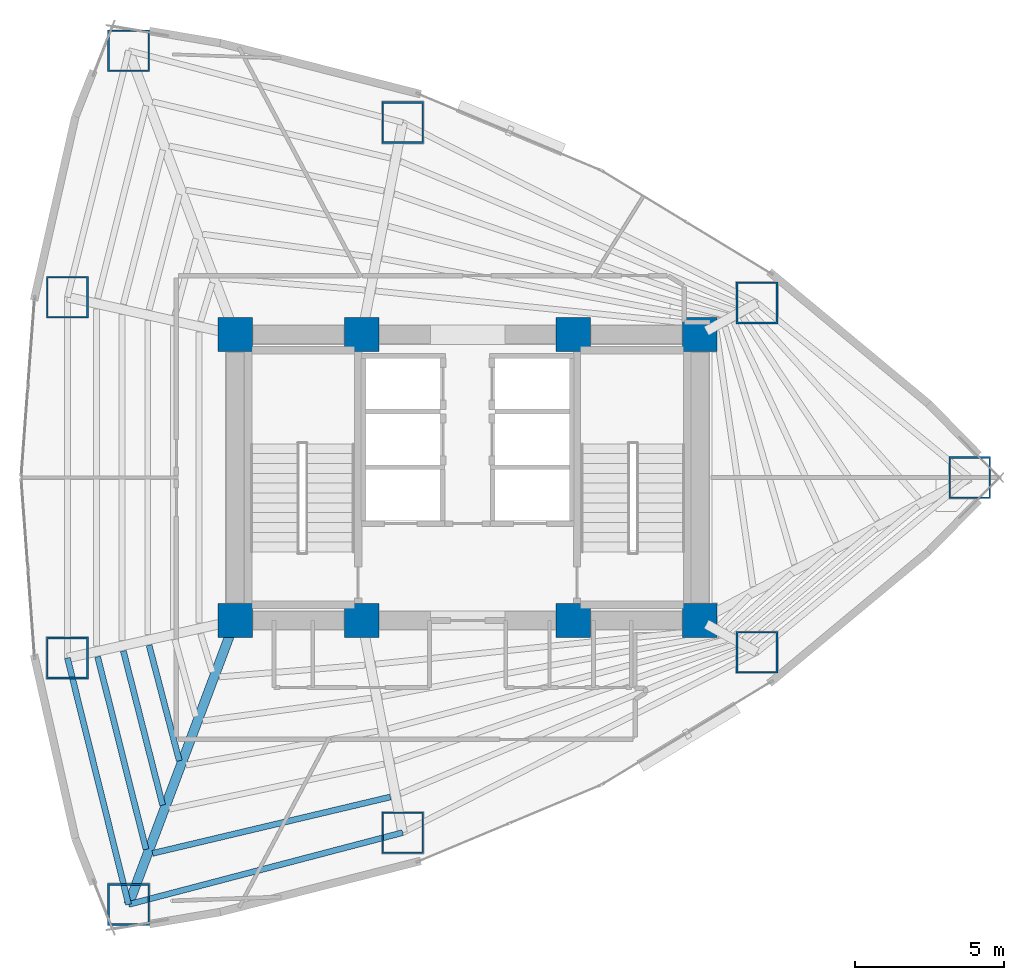
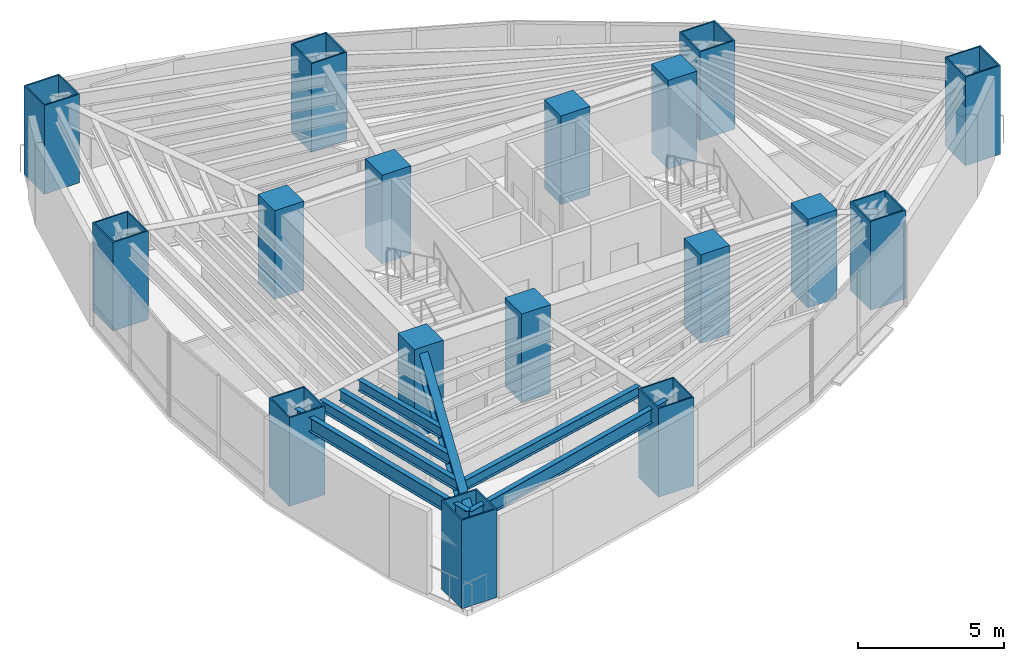
# One storey, part 1 of 18: 17 columns, 7 beams.
"""IFC4 building model written with IfcOpenShell, lengths in metres."""

import ifcopenshell
import ifcopenshell.guid

model = None  # the IFC model being written
_history = None  # IfcOwnerHistory: only IFC2X3 demands one
_inside = {}  # id of a spatial element -> (the spatial element, [elements in it])
_under = {}  # id of a project, library or spatial element -> (it, [spatial elements below it])
_declared = {}  # id of a project -> (the project, [libraries it declares])
_typed = {}  # id of a type object -> (the type object, [elements of that type])
_made_of = {}  # id of a material, layer set ... -> (it, [elements and type objects made of it])


def new_model(schema):
    """Start an empty IFC model of exactly this schema.

    Asked for "IFC4X3", IfcOpenShell would pick the latest addendum, in which some entities
    have other attributes; the version numbers below select the first issue.
    IFC2X3 requires an IfcOwnerHistory on every rooted entity: one is made here for all.
    """
    global model, _history
    if schema == "IFC4X3":
        model = ifcopenshell.file(schema_version=(4, 3, 0, 0))
    else:
        model = ifcopenshell.file(schema=schema)
    _inside.clear()
    _under.clear()
    _declared.clear()
    _typed.clear()
    _made_of.clear()
    _history = None
    if model.schema == "IFC2X3":
        org = make("IfcOrganization", Name="unknown")
        user = make(
            "IfcPersonAndOrganization",
            ThePerson=make("IfcPerson", FamilyName="unknown"),
            TheOrganization=org,
        )
        app = make(
            "IfcApplication",
            ApplicationDeveloper=org,
            Version="unknown",
            ApplicationFullName="unknown",
            ApplicationIdentifier="unknown",
        )
        _history = make(
            "IfcOwnerHistory",
            OwningUser=user,
            OwningApplication=app,
            ChangeAction="ADDED",
            CreationDate=0,
        )
    return model


def make(cls, **values):
    """One entity of the class cls with the attributes given. An attribute that is None is left unset."""
    return model.create_entity(
        cls, **{name: value for name, value in values.items() if value is not None}
    )


def rooted(cls, **values):
    """An entity with a GlobalId (a new one), such as an element, a storey or a relation."""
    return make(cls, GlobalId=ifcopenshell.guid.new(), OwnerHistory=_history, **values)


def si_unit(unit_type, name, prefix=None):
    """IfcSIUnit, for example si_unit("LENGTHUNIT", "METRE", prefix="MILLI")."""
    return make("IfcSIUnit", UnitType=unit_type, Prefix=prefix, Name=name)


def assignment(units):
    """IfcUnitAssignment: the units of a project."""
    return None if units is None else make("IfcUnitAssignment", Units=units)


def point(xyz):
    """IfcCartesianPoint."""
    return None if xyz is None else make("IfcCartesianPoint", Coordinates=xyz)


def direction(xyz):
    """IfcDirection."""
    return None if xyz is None else make("IfcDirection", DirectionRatios=xyz)


def frame(location, z_axis=None, x_axis=None):
    """IfcAxis2Placement3D, a coordinate frame: its origin and axes. An axis left out is left unset."""
    return make(
        "IfcAxis2Placement3D",
        Location=point(location),
        Axis=direction(z_axis),
        RefDirection=direction(x_axis),
    )


def frame_2d(location, x_axis=None):
    """IfcAxis2Placement2D, a coordinate frame in the plane: its origin and x axis."""
    return make(
        "IfcAxis2Placement2D", Location=point(location), RefDirection=direction(x_axis)
    )


def origin():
    """The frame at (0, 0, 0) with its axes left unset."""
    return frame((0.0, 0.0, 0.0))


def origin_2d():
    """The frame at (0, 0) in the plane with its x axis left unset."""
    return frame_2d((0.0, 0.0))


def place(relative_to, where):
    """IfcLocalPlacement: puts the frame where relative to a parent placement (None: the world)."""
    return make(
        "IfcLocalPlacement", PlacementRelTo=relative_to, RelativePlacement=where
    )


def context(
    kind, dimensions, precision=None, world=None, true_north=None, identifier=None
):
    """IfcGeometricRepresentationContext, for example the 3D "Model" context."""
    return make(
        "IfcGeometricRepresentationContext",
        ContextIdentifier=identifier,
        ContextType=kind,
        CoordinateSpaceDimension=dimensions,
        Precision=precision,
        WorldCoordinateSystem=world,
        TrueNorth=true_north,
    )


def subcontext(parent, identifier, kind, view, scale=None):
    """IfcGeometricRepresentationSubContext, for example "Body" below "Model"."""
    return make(
        "IfcGeometricRepresentationSubContext",
        ContextIdentifier=identifier,
        ContextType=kind,
        ParentContext=parent,
        TargetScale=scale,
        TargetView=view,
    )


def project(units=None, contexts=None):
    """IfcProject with its units and contexts."""
    return rooted(
        "IfcProject",
        Name="project",
        RepresentationContexts=contexts,
        UnitsInContext=assignment(units),
    )


def spatial(cls, under=None, at=None, **own):
    """A site, building, storey or space (cls), placed at a placement, below another one or the project."""
    s = rooted(cls, ObjectPlacement=at, **own)
    if under is not None:
        _under.setdefault(under.id(), (under, []))[1].append(s)
    return s


def profile(cls, at=None, kind="AREA", **sizes):
    """A parametric profile (cls). Its sizes go by their IFC names, for example OverallWidth=200.0."""
    return make(cls, ProfileType=kind, Position=at, **sizes)


def rectangle(**sizes):
    """IfcRectangleProfileDef."""
    return profile("IfcRectangleProfileDef", **sizes)


def hollow_rectangle(**sizes):
    """IfcRectangleHollowProfileDef."""
    return profile("IfcRectangleHollowProfileDef", **sizes)


def i_section(**sizes):
    """IfcIShapeProfileDef."""
    return profile("IfcIShapeProfileDef", **sizes)


def extrude(swept, where, along, depth):
    """IfcExtrudedAreaSolid: the profile swept, set in the frame where, extruded along a direction by depth."""
    return make(
        "IfcExtrudedAreaSolid",
        SweptArea=swept,
        Position=where,
        ExtrudedDirection=direction(along),
        Depth=depth,
    )


def shape(context_of_items, identifier, shape_type, items):
    """IfcShapeRepresentation: the items that make up one representation, for example the "Body"."""
    return make(
        "IfcShapeRepresentation",
        ContextOfItems=context_of_items,
        RepresentationIdentifier=identifier,
        RepresentationType=shape_type,
        Items=items,
    )


def material(Name=None, Category=None):
    """IfcMaterial."""
    return make("IfcMaterial", Name=Name, Category=Category)


def material_profile(
    of_material, cross_section, Name=None, Category=None, Priority=None
):
    """IfcMaterialProfile: a cross section and its material."""
    return make(
        "IfcMaterialProfile",
        Name=Name,
        Material=of_material,
        Profile=cross_section,
        Priority=Priority,
        Category=Category,
    )


def profile_set(profiles, Name=None, composite=None):
    """IfcMaterialProfileSet."""
    return make(
        "IfcMaterialProfileSet",
        Name=Name,
        MaterialProfiles=profiles,
        CompositeProfile=composite,
    )


def made_of(thing, what):
    """Note that an element or type object is made of a material, layer set ...; save() writes the relation."""
    if what is not None:
        _made_of.setdefault(what.id(), (what, []))[1].append(thing)
    return thing


def type_object(cls, material=None, **own):
    """A type object (cls), such as IfcWallType, which elements share."""
    return made_of(rooted(cls, **own), material)


def element(
    cls,
    number,
    at=None,
    inside=None,
    cuts=None,
    type_object=None,
    material=None,
    context=None,
    identifier="Body",
    shape_type=None,
    held_by="IfcProductDefinitionShape",
    body=None,
    shapes=None,
    **own,
):
    """One element of the class cls, such as IfcWall. Its Tag is "e" and its number.

    at: its placement. inside: the storey or other place that contains it. cuts: it is an
    opening in that element (IfcRelVoidsElement). A single representation is given by context,
    identifier, shape_type and body (its items); several are given by shapes. held_by: the class
    of the entity that holds the representations. save() writes the other relations.
    """
    e = rooted(cls, Tag="e%d" % number, ObjectPlacement=at, **own)
    if body is not None:
        shapes = [shape(context, identifier, shape_type, body)]
    if shapes is not None:
        e.Representation = make(held_by, Representations=shapes)
    if inside is not None:
        _inside.setdefault(inside.id(), (inside, []))[1].append(e)
    if cuts is not None:
        rooted(
            "IfcRelVoidsElement", RelatingBuildingElement=cuts, RelatedOpeningElement=e
        )
    if type_object is not None:
        _typed.setdefault(type_object.id(), (type_object, []))[1].append(e)
    return made_of(e, material)


def aggregate(whole, parts):
    """IfcRelAggregates: a whole, such as a stair, and the parts it consists of."""
    return rooted("IfcRelAggregates", RelatingObject=whole, RelatedObjects=parts)


def save(model, path):
    """Write the relations noted so far, then the file.

    IfcRelAggregates (storeys below a building ...), IfcRelContainedInSpatialStructure (elements
    in a storey), IfcRelDefinesByType, IfcRelAssociatesMaterial and IfcRelDeclares: one each for
    every whole, place, type object, material and project.
    """
    for whole, parts in _under.values():
        aggregate(whole, parts)
    for where, things in _inside.values():
        rooted(
            "IfcRelContainedInSpatialStructure",
            RelatedElements=things,
            RelatingStructure=where,
        )
    for kind, things in _typed.values():
        rooted("IfcRelDefinesByType", RelatedObjects=things, RelatingType=kind)
    for what, things in _made_of.values():
        rooted("IfcRelAssociatesMaterial", RelatedObjects=things, RelatingMaterial=what)
    for by, libraries in _declared.values():
        rooted("IfcRelDeclares", RelatingContext=by, RelatedDefinitions=libraries)
    model.write(path)


model = new_model("IFC4")

# Units and contexts
model_context = context("Model", 3, precision=1e-05, world=origin(), true_north=direction((0.0, 1.0)))
body_context = subcontext(model_context, "Body", "Model", "MODEL_VIEW")
ifc_project = project(units=[si_unit("LENGTHUNIT", "METRE"), si_unit("AREAUNIT", "SQUARE_METRE"), si_unit("VOLUMEUNIT", "CUBIC_METRE"), si_unit("PLANEANGLEUNIT", "RADIAN"), si_unit("MASSUNIT", "GRAM", prefix="KILO")], contexts=[model_context])

# Site, building, storey
site_placement = place(None, origin())
site = spatial("IfcSite", under=ifc_project, at=site_placement, CompositionType="ELEMENT")
building_placement = place(site_placement, origin())
building = spatial("IfcBuilding", under=site, at=building_placement, Name="Menara Vayukalpa", CompositionType="ELEMENT")
storey_placement = place(building_placement, frame((0.0, 0.0, 35.0400390625)))
storey = spatial("IfcBuildingStorey", under=building, at=storey_placement, Name="L07", CompositionType="ELEMENT", Elevation=35.0400390625)

# Columns
ifc_material_1 = material(Name="Concrete C80/95", Category="concrete")
ifc_material_profile_1 = material_profile(ifc_material_1, rectangle(XDim=1.14990234375, YDim=1.14990234375, at=origin_2d()), Name="RC 1150x1150")
ifc_profile_set_1 = profile_set([ifc_material_profile_1], Name="Concrete C80/95")
column_type_1 = type_object("IfcColumnType", Name="COL-CC1", PredefinedType="COLUMN", material=ifc_profile_set_1)
for number, where, z_axis, x_axis, name in (
    (1, (17.800048828125, 17.199951171875, 0.0), (0.0, 0.0, 1.0), (1.0, 0.0, 0.0), "L07 Core Pilaster Column CC1"),
    (2, (22.050048828125, 17.199951171875, 0.0), (0.0, 0.0, 1.0), (1.0, 0.0, 0.0), "L07 Core Pilaster Column CC2"),
    (3, (29.14990234375, 17.199951171875, 0.0), (0.0, 0.0, 1.0), (1.0, 0.0, 0.0), "L07 Core Pilaster Column CC3"),
    (4, (33.39990234375, 17.199951171875, 0.0), (0.0, 0.0, 1.0), (1.0, 0.0, 0.0), "L07 Core Pilaster Column CC4"),
    (5, (17.800048828125, 26.800048828125, 0.0), (0.0, 0.0, 1.0), (1.0, 0.0, 0.0), "L07 Core Pilaster Column CC5"),
    (6, (22.050048828125, 26.800048828125, 0.0), (0.0, 0.0, 1.0), (1.0, 0.0, 0.0), "L07 Core Pilaster Column CC6"),
    (7, (29.14990234375, 26.800048828125, 0.0), (0.0, 0.0, 1.0), (1.0, 0.0, 0.0), "L07 Core Pilaster Column CC7"),
    (8, (33.39990234375, 26.800048828125, 0.0), (0.0, 0.0, 1.0), (1.0, 0.0, 0.0), "L07 Core Pilaster Column CC8"),
):
    element("IfcColumn", number, at=place(storey_placement, frame(where, z_axis=z_axis, x_axis=x_axis)), inside=storey, type_object=column_type_1, Name=name, PredefinedType="COLUMN", context=body_context, shape_type="SweptSolid", body=[
        extrude(rectangle(XDim=1.14990234375, YDim=1.14990234375, at=origin_2d()), origin(), (0.0, 0.0, 1.0), 3.719970703125),
    ])
ifc_material_2 = material(Name="Steel S460", Category="steel")
ifc_material_profile_2 = material_profile(ifc_material_2, hollow_rectangle(XDim=1.39990234375, YDim=1.39990234375, WallThickness=0.054931640625, at=origin_2d()), Name="BOX 1400x1400x55")
ifc_profile_set_2 = profile_set([ifc_material_profile_2], Name="Steel S460")
column_type_2 = type_object("IfcColumnType", Name="COL-MC1", PredefinedType="COLUMN", material=ifc_profile_set_2)
for number, where, z_axis, x_axis, name in (
    (9, (42.46484375, 22.0, 0.0), (0.0, 0.0, 1.0), (1.0, 0.0, 0.0), "L07 Perimeter Mega Column P01"),
    (10, (35.318115234375, 27.86328125, 0.0), (0.0, 0.0, 1.0), (1.0, 0.0, 0.0), "L07 Perimeter Mega Column P02"),
    (11, (23.41943359375, 33.9228515625, 0.0), (0.0, 0.0, 1.0), (1.0, 0.0, 0.0), "L07 Perimeter Mega Column P03"),
    (12, (14.217529296875, 36.33447265625, 0.0), (0.0, 0.0, 1.0), (1.0, 0.0, 0.0), "L07 Perimeter Mega Column P04"),
    (13, (12.164306640625, 28.0595703125, 0.0), (0.0, 0.0, 1.0), (1.0, 0.0, 0.0), "L07 Perimeter Mega Column P05"),
    (14, (12.164306640625, 15.9404296875, 0.0), (0.0, 0.0, 1.0), (1.0, 0.0, 0.0), "L07 Perimeter Mega Column P06"),
    (15, (14.217529296875, 7.66552734375, 0.0), (0.0, 0.0, 1.0), (1.0, 0.0, 0.0), "L07 Perimeter Mega Column P07"),
    (16, (23.41943359375, 10.0771484375, 0.0), (0.0, 0.0, 1.0), (1.0, 0.0, 0.0), "L07 Perimeter Mega Column P08"),
    (17, (35.318115234375, 16.13671875, 0.0), (0.0, 0.0, 1.0), (1.0, 0.0, 0.0), "L07 Perimeter Mega Column P09"),
):
    element("IfcColumn", number, at=place(storey_placement, frame(where, z_axis=z_axis, x_axis=x_axis)), inside=storey, type_object=column_type_2, Name=name, PredefinedType="COLUMN", context=body_context, shape_type="SweptSolid", body=[
        extrude(hollow_rectangle(XDim=1.39990234375, YDim=1.39990234375, WallThickness=0.054931640625, at=origin_2d()), origin(), (0.0, 0.0, 1.0), 3.719970703125),
    ])

# Beams
ifc_material_3 = material(Name="Steel S355", Category="steel")
ifc_material_profile_3 = material_profile(ifc_material_3, i_section(OverallWidth=0.320068359375, OverallDepth=0.85009765625, WebThickness=0.01611328125, FlangeThickness=0.030029296875, at=origin_2d()), Name="WF 850x320x16x30")
ifc_profile_set_3 = profile_set([ifc_material_profile_3], Name="Steel S355")
beam_type_1 = type_object("IfcBeamType", Name="BM-PG2", PredefinedType="BEAM", material=ifc_profile_set_3)
beam_1_placement = place(storey_placement, frame((17.712158203125, 16.966064453125, 3.044921875), z_axis=(-0.351734656537, -0.93609974436, 0.0), x_axis=(0.93609974436, -0.351734656537, 0.0)))
element("IfcBeam", 18, at=beam_1_placement, inside=storey, type_object=beam_type_1, Name="L07 Primary Radial Girder RG07", PredefinedType="BEAM", context=body_context, shape_type="SweptSolid", body=[
    extrude(i_section(OverallWidth=0.320068359375, OverallDepth=0.85009765625, WebThickness=0.01611328125, FlangeThickness=0.030029296875, at=origin_2d()), origin(), (0.0, 0.0, 1.0), 9.935302734375),
])
ifc_material_4 = material(Name="Steel S355", Category="steel")
ifc_material_profile_4 = material_profile(ifc_material_4, i_section(OverallWidth=0.199951171875, OverallDepth=0.449951171875, WebThickness=0.009033203125, FlangeThickness=0.013916015625, at=origin_2d()), Name="WF 450x200x9x14")
ifc_profile_set_4 = profile_set([ifc_material_profile_4], Name="Steel S355")
beam_type_2 = type_object("IfcBeamType", Name="BM-SJ1", PredefinedType="JOIST", material=ifc_profile_set_4)
beam_2_placement = place(storey_placement, frame((14.905517578125, 16.368896484375, 3.244873046875), z_axis=(0.25283833468, -0.967508540798, 0.0), x_axis=(0.967508540798, 0.25283833468, 0.0)))
element("IfcBeam", 19, at=beam_2_placement, inside=storey, type_object=beam_type_2, Name="L07 Secondary Floor Joist SJ06-3", PredefinedType="JOIST", context=body_context, shape_type="SweptSolid", body=[
    extrude(i_section(OverallWidth=0.199951171875, OverallDepth=0.449951171875, WebThickness=0.009033203125, FlangeThickness=0.013916015625, at=origin_2d()), origin(), (0.0, 0.0, 1.0), 4.00927734375),
])
beam_3_placement = place(storey_placement, frame((14.0419921875, 16.17578125, 3.244873046875), z_axis=(0.247105572938, -0.968988563309, 0.0), x_axis=(0.968988563309, 0.247105572938, 0.0)))
element("IfcBeam", 20, at=beam_3_placement, inside=storey, type_object=beam_type_2, Name="L07 Secondary Floor Joist SJ06-4", PredefinedType="JOIST", context=body_context, shape_type="SweptSolid", body=[
    extrude(i_section(OverallWidth=0.199951171875, OverallDepth=0.449951171875, WebThickness=0.009033203125, FlangeThickness=0.013916015625, at=origin_2d()), origin(), (0.0, 0.0, 1.0), 5.339111328125),
])
beam_4_placement = place(storey_placement, frame((13.1787109375, 15.982666015625, 3.244873046875), z_axis=(0.243517460774, -0.96989651319, 0.0), x_axis=(0.96989651319, 0.243517460774, 0.0)))
element("IfcBeam", 21, at=beam_4_placement, inside=storey, type_object=beam_type_2, Name="L07 Secondary Floor Joist SJ06-5", PredefinedType="JOIST", context=body_context, shape_type="SweptSolid", body=[
    extrude(i_section(OverallWidth=0.199951171875, OverallDepth=0.449951171875, WebThickness=0.009033203125, FlangeThickness=0.013916015625, at=origin_2d()), origin(), (0.0, 0.0, 1.0), 6.6689453125),
])
beam_5_placement = place(storey_placement, frame((15.021728515625, 9.381103515625, 3.244873046875), z_axis=(0.97303971213, 0.23063763487, 0.0), x_axis=(-0.23063763487, 0.97303971213, 0.0)))
element("IfcBeam", 22, at=beam_5_placement, inside=storey, type_object=beam_type_2, Name="L07 Secondary Floor Joist SJ07-5", PredefinedType="JOIST", context=body_context, shape_type="SweptSolid", body=[
    extrude(i_section(OverallWidth=0.199951171875, OverallDepth=0.449951171875, WebThickness=0.009033203125, FlangeThickness=0.013916015625, at=origin_2d()), origin(), (0.0, 0.0, 1.0), 8.205810546875),
])
ifc_material_5 = material(Name="Steel S355", Category="steel")
ifc_material_profile_5 = material_profile(ifc_material_5, i_section(OverallWidth=0.199951171875, OverallDepth=0.60009765625, WebThickness=0.010986328125, FlangeThickness=0.01708984375, at=origin_2d()), Name="WF 600x200x11x17")
ifc_profile_set_5 = profile_set([ifc_material_profile_5], Name="Steel S355")
beam_type_3 = type_object("IfcBeamType", Name="BM-SP1", PredefinedType="SPANDREL", material=ifc_profile_set_5)
beam_6_placement = place(storey_placement, frame((12.164306640625, 15.9404296875, 3.169921875), z_axis=(0.240823860364, -0.970568837476, 0.0), x_axis=(0.970568837476, 0.240823860364, 0.0)))
element("IfcBeam", 23, at=beam_6_placement, inside=storey, type_object=beam_type_3, Name="L07 Perimeter Spandrel Beam SP06", PredefinedType="SPANDREL", context=body_context, shape_type="SweptSolid", body=[
    extrude(i_section(OverallWidth=0.199951171875, OverallDepth=0.60009765625, WebThickness=0.010986328125, FlangeThickness=0.01708984375, at=origin_2d()), origin(), (0.0, 0.0, 1.0), 8.52587890625),
])
beam_7_placement = place(storey_placement, frame((14.217529296875, 7.66552734375, 3.169921875), z_axis=(0.967331024421, 0.253516644802, 0.0), x_axis=(-0.253516644802, 0.967331024421, 0.0)))
element("IfcBeam", 24, at=beam_7_placement, inside=storey, type_object=beam_type_3, Name="L07 Perimeter Spandrel Beam SP07", PredefinedType="SPANDREL", context=body_context, shape_type="SweptSolid", body=[
    extrude(i_section(OverallWidth=0.199951171875, OverallDepth=0.60009765625, WebThickness=0.010986328125, FlangeThickness=0.01708984375, at=origin_2d()), origin(), (0.0, 0.0, 1.0), 9.5126953125),
])

save(model, "model.ifc")
